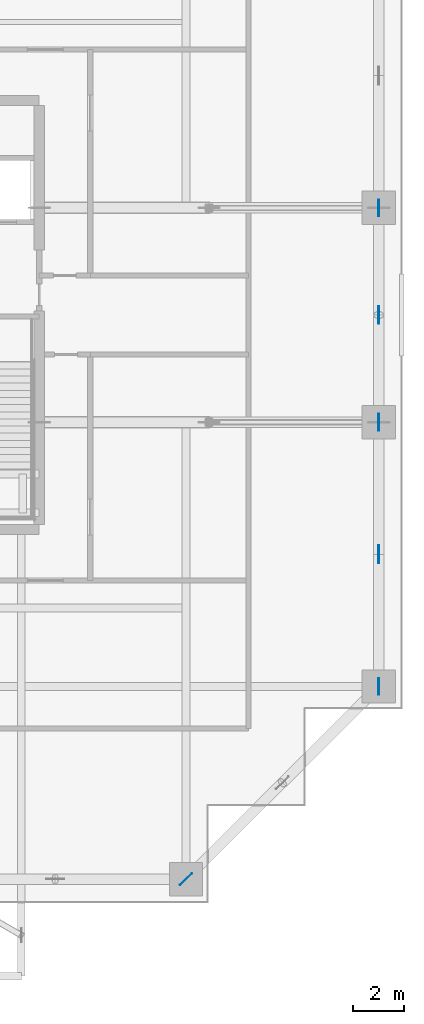
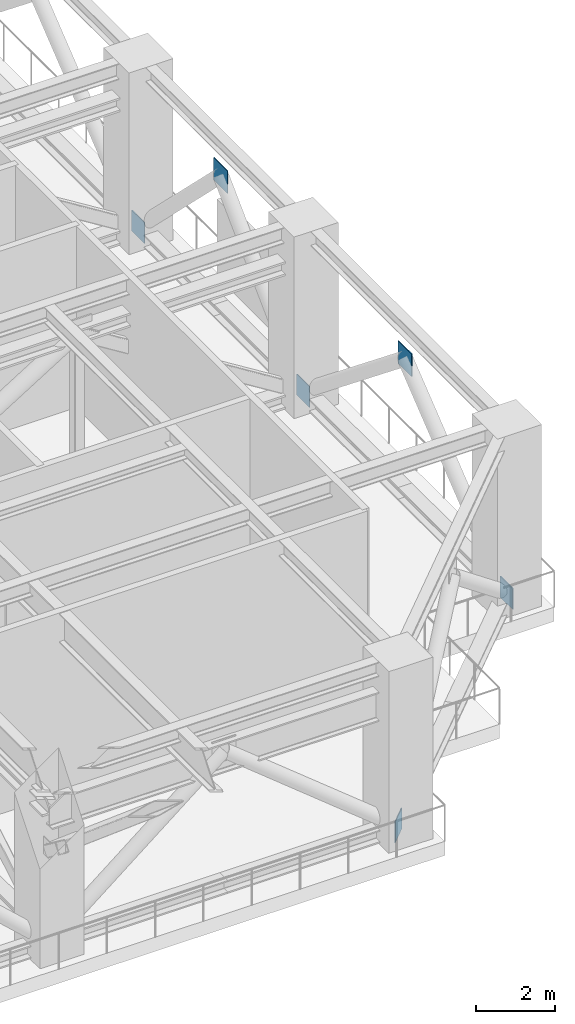
# One storey, part 12 of 22: 6 plates.
"""IFC4 building model written with IfcOpenShell, lengths in metres."""

from ifc_helpers import new_model, si_unit, direction, frame, origin, origin_2d, place, context, subcontext, project, spatial, rectangle, extrude, source, transform, mapped, material, layer, layer_set, type_object, element, save


model = new_model("IFC4")

# Units and contexts
model_context = context("Model", 3, precision=1e-05, world=origin(), true_north=direction((0.0, 1.0)))
body_context = subcontext(model_context, "Body", "Model", "MODEL_VIEW")
ifc_project = project(units=[si_unit("LENGTHUNIT", "METRE"), si_unit("AREAUNIT", "SQUARE_METRE"), si_unit("VOLUMEUNIT", "CUBIC_METRE"), si_unit("PLANEANGLEUNIT", "RADIAN"), si_unit("MASSUNIT", "GRAM", prefix="KILO")], contexts=[model_context])

# Site, building, storey
site_placement = place(None, origin())
site = spatial("IfcSite", under=ifc_project, at=site_placement, CompositionType="ELEMENT")
building_placement = place(site_placement, origin())
building = spatial("IfcBuilding", under=site, at=building_placement, Name="Serunith Strait Residences", CompositionType="ELEMENT")
storey_placement = place(building_placement, frame((0.0, 0.0, 198.89990234375)))
storey = spatial("IfcBuildingStorey", under=building, at=storey_placement, Name="L50", CompositionType="ELEMENT", Elevation=198.89990234375)

# Plates
ifc_material = material(Name="Steel S460M", Category="steel")
ifc_layer = layer(ifc_material, 0.02490234375, Name="Steel S460M")
ifc_layer_set = layer_set([ifc_layer], Name="Steel S460M")
plate_type = type_object("IfcPlateType", Name="PLT-CAP-25", PredefinedType="SHEET", material=ifc_layer_set)
shared_shape_1 = source(origin(), body_context, "Body", "SweptSolid", [
    extrude(rectangle(XDim=0.699951171875, YDim=0.02490234375, at=origin_2d()), origin(), (0.0, 0.0, 1.0), 0.699951171875),
])
for number, where, z_axis, x_axis, name in (
    (1, (54.699951171875, 15.824951171875, 4.0400390625), (0.0, 0.0, 1.0), (0.0, 1.0, 0.0), "L50 Belt Truss Apex Gusset 05"),
    (2, (54.699951171875, 25.199951171875, 4.0400390625), (0.0, 0.0, 1.0), (0.0, 1.0, 0.0), "L50 Belt Truss Apex Gusset 06"),
):
    element("IfcPlate", number, at=place(storey_placement, frame(where, z_axis=z_axis, x_axis=x_axis)), inside=storey, type_object=plate_type, Name=name, PredefinedType="SHEET", context=body_context, shape_type="MappedRepresentation", body=[
        mapped(shared_shape_1, transform((0.0, 0.0, 0.0), scale=1.0)),
    ])
shared_shape_2 = source(origin(), body_context, "Body", "SweptSolid", [
    extrude(rectangle(XDim=0.64990234375, YDim=0.02490234375, at=origin_2d()), origin(), (0.0, 0.0, 1.0), 0.64990234375),
])
for number, where, z_axis, x_axis, name in (
    (3, (47.14990234375, 3.10009765625, -0.074951171875), (0.0, 0.0, 1.0), (0.707106781187, 0.707106781187, 0.0), "L50 Belt Truss Column Node Plate 04"),
    (4, (54.699951171875, 10.64990234375, -0.074951171875), (0.0, 0.0, 1.0), (0.0, 1.0, 0.0), "L50 Belt Truss Column Node Plate 05"),
    (5, (54.699951171875, 21.0, -0.074951171875), (0.0, 0.0, 1.0), (0.0, 1.0, 0.0), "L50 Belt Truss Column Node Plate 06"),
    (6, (54.699951171875, 29.39990234375, -0.074951171875), (0.0, 0.0, 1.0), (0.0, 1.0, 0.0), "L50 Belt Truss Column Node Plate 07"),
):
    element("IfcPlate", number, at=place(storey_placement, frame(where, z_axis=z_axis, x_axis=x_axis)), inside=storey, type_object=plate_type, Name=name, PredefinedType="SHEET", context=body_context, shape_type="MappedRepresentation", body=[
        mapped(shared_shape_2, transform((0.0, 0.0, 0.0), scale=1.0)),
    ])

save(model, "model.ifc")
